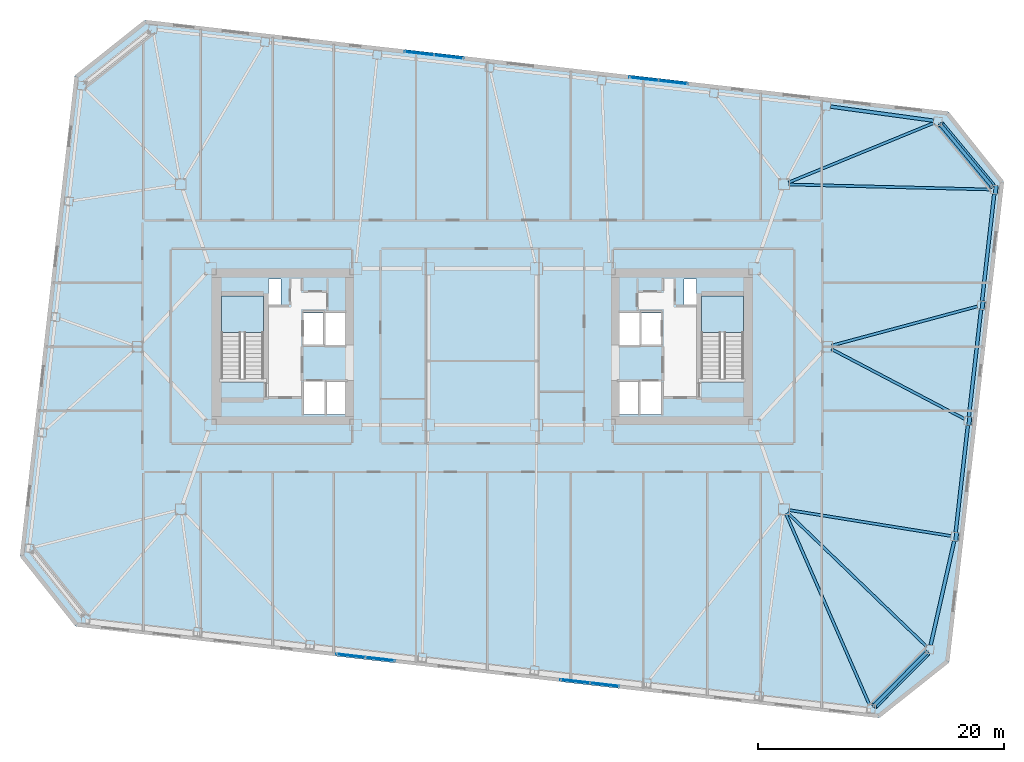
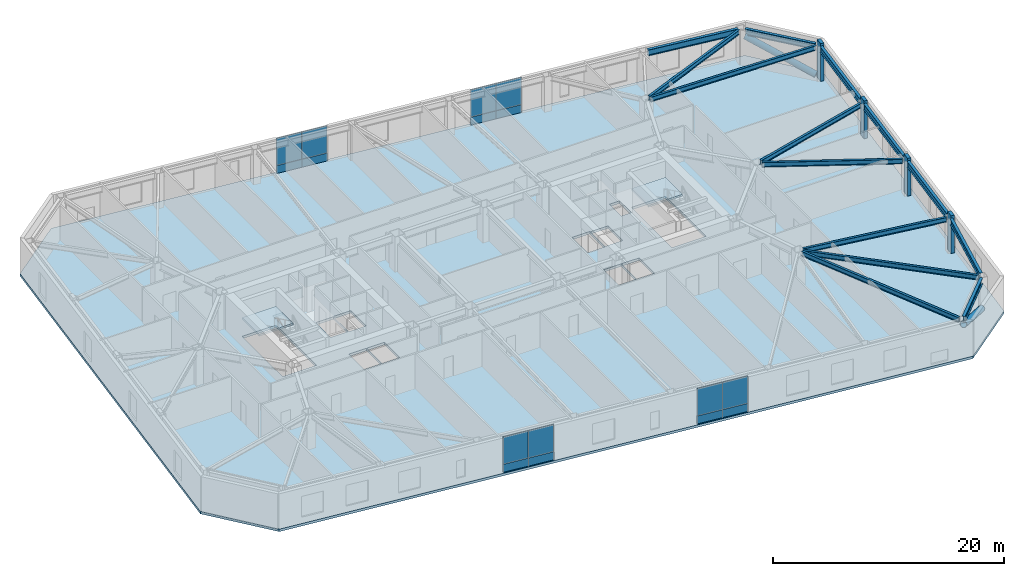
# One storey, part 10 of 21: 16 plates, 14 beams, 6 members, 3 slabs, 6 elements without a shape of their own.
"""IFC4 building model written with IfcOpenShell, lengths in metres."""

from ifc_helpers import new_model, si_unit, direction, frame, origin, origin_2d, place, context, subcontext, project, spatial, polyline, rectangle, hollow_circle, i_section, outline, extrude, material, layer, layer_set, material_profile, profile_set, type_object, element, aggregate, save


model = new_model("IFC4")

# Units and contexts
model_context = context("Model", 3, precision=1e-05, world=origin(), true_north=direction((0.0, 1.0)))
body_context = subcontext(model_context, "Body", "Model", "MODEL_VIEW")
ifc_project = project(units=[si_unit("LENGTHUNIT", "METRE"), si_unit("AREAUNIT", "SQUARE_METRE"), si_unit("VOLUMEUNIT", "CUBIC_METRE"), si_unit("PLANEANGLEUNIT", "RADIAN"), si_unit("MASSUNIT", "GRAM", prefix="KILO")], contexts=[model_context])

# Site, building, storey
site_placement = place(None, origin())
site = spatial("IfcSite", under=ifc_project, at=site_placement, CompositionType="ELEMENT")
building_placement = place(site_placement, origin())
building = spatial("IfcBuilding", under=site, at=building_placement, Name="Tavrogorsk Clinical Tower", CompositionType="ELEMENT")
storey_placement = place(building_placement, frame((0.0, 0.0, 129.39990234375)))
storey = spatial("IfcBuildingStorey", under=building, at=storey_placement, Name="L29", CompositionType="ELEMENT", Elevation=129.39990234375)

# Members
ifc_material_1 = material(Name="Structural steel S440", Category="steel")
ifc_material_profile_1 = material_profile(ifc_material_1, hollow_circle(Radius=0.304931640625, WallThickness=0.02490234375, at=origin_2d()), Name="CHS-610x25")
ifc_profile_set_1 = profile_set([ifc_material_profile_1], Name="Structural steel S440")
member_type_1 = type_object("IfcMemberType", Name="ExoBrace_CHS610", PredefinedType="BRACE", material=ifc_profile_set_1)
member_1_placement = place(storey_placement, frame((36.1025390625, -24.82763671875, 0.4345703125), z_axis=(-0.651430241483, -0.659222469252, 0.375585378463), x_axis=(0.711298174517, -0.702890394677, 0.0)))
element("IfcMember", 1, at=member_1_placement, inside=storey, type_object=member_type_1, Name="L29 Corner Exoskeleton Brace S8-E1", PredefinedType="BRACE", context=body_context, shape_type="SweptSolid", body=[
    extrude(hollow_circle(Radius=0.304931640625, WallThickness=0.02490234375, at=origin_2d()), origin(), (0.0, 0.0, 1.0), 6.57958984375),
])
member_2_placement = place(storey_placement, frame((41.40771484375, 13.03076171875, 0.427001953125), z_axis=(-0.598616328588, 0.718269947263, 0.354607915882), x_axis=(-0.768190751014, -0.640221032189, 0.0)))
element("IfcMember", 2, at=member_2_placement, inside=storey, type_object=member_type_1, Name="L29 Corner Exoskeleton Brace E5-N1", PredefinedType="BRACE", context=body_context, shape_type="SweptSolid", body=[
    extrude(hollow_circle(Radius=0.304931640625, WallThickness=0.02490234375, at=origin_2d()), origin(), (0.0, 0.0, 1.0), 7.0107421875),
])

# Beams
ifc_material_2 = material(Name="Structural steel S355", Category="steel")
ifc_material_profile_2 = material_profile(ifc_material_2, i_section(OverallWidth=0.219970703125, OverallDepth=0.5, WebThickness=0.012939453125, FlangeThickness=0.02001953125, at=origin_2d()), Name="B-500x220x13x20")
ifc_profile_set_2 = profile_set([ifc_material_profile_2], Name="Structural steel S355")
beam_type_1 = type_object("IfcBeamType", Name="FloorBeam_B500", PredefinedType="BEAM", material=ifc_profile_set_2)
beam_1_placement = place(storey_placement, frame((24.664306640625, -13.57568359375, 3.489990234375), z_axis=(0.400586354613, -0.916259009504, 0.0), x_axis=(0.916259009504, 0.400586354613, 0.0)))
element("IfcBeam", 3, at=beam_1_placement, inside=storey, type_object=beam_type_1, Name="L29 Radial Floor Beam S8", PredefinedType="BEAM", context=body_context, shape_type="SweptSolid", body=[
    extrude(i_section(OverallWidth=0.219970703125, OverallDepth=0.5, WebThickness=0.012939453125, FlangeThickness=0.02001953125, at=origin_2d()), origin(), (0.0, 0.0, 1.0), 16.91357421875),
])
beam_2_placement = place(storey_placement, frame((24.87939453125, 13.35546875, 3.489990234375), z_axis=(0.925250223374, 0.379357383143, 0.0), x_axis=(-0.379357383143, 0.925250223374, 0.0)))
element("IfcBeam", 4, at=beam_2_placement, inside=storey, type_object=beam_type_1, Name="L29 Radial Floor Beam N1", PredefinedType="BEAM", context=body_context, shape_type="SweptSolid", body=[
    extrude(i_section(OverallWidth=0.219970703125, OverallDepth=0.5, WebThickness=0.012939453125, FlangeThickness=0.02001953125, at=origin_2d()), origin(), (0.0, 0.0, 1.0), 12.738037109375),
])
beam_3_placement = place(storey_placement, frame((24.79541015625, -13.484375, 3.489990234375), z_axis=(0.720494740362, -0.693460401977, 0.0), x_axis=(0.693460401977, 0.720494740362, 0.0)))
element("IfcBeam", 5, at=beam_3_placement, inside=storey, type_object=beam_type_1, Name="L29 Radial Floor Beam E1", PredefinedType="BEAM", context=body_context, shape_type="SweptSolid", body=[
    extrude(i_section(OverallWidth=0.219970703125, OverallDepth=0.5, WebThickness=0.012939453125, FlangeThickness=0.02001953125, at=origin_2d()), origin(), (0.0, 0.0, 1.0), 15.659423828125),
])
beam_4_placement = place(storey_placement, frame((24.90478515625, -13.2646484375, 3.489990234375), z_axis=(0.987456527754, -0.157891120067, 0.0), x_axis=(0.157891120067, 0.987456527754, 0.0)))
element("IfcBeam", 6, at=beam_4_placement, inside=storey, type_object=beam_type_1, Name="L29 Radial Floor Beam E2", PredefinedType="BEAM", context=body_context, shape_type="SweptSolid", body=[
    extrude(i_section(OverallWidth=0.219970703125, OverallDepth=0.5, WebThickness=0.012939453125, FlangeThickness=0.02001953125, at=origin_2d()), origin(), (0.0, 0.0, 1.0), 13.31787109375),
])
beam_5_placement = place(storey_placement, frame((28.363037109375, -0.1904296875, 3.489990234375), z_axis=(0.885467298335, -0.464701693111, 0.0), x_axis=(0.464701693111, 0.885467298335, 0.0)))
element("IfcBeam", 7, at=beam_5_placement, inside=storey, type_object=beam_type_1, Name="L29 Radial Floor Beam E3", PredefinedType="BEAM", context=body_context, shape_type="SweptSolid", body=[
    extrude(i_section(OverallWidth=0.219970703125, OverallDepth=0.5, WebThickness=0.012939453125, FlangeThickness=0.02001953125, at=origin_2d()), origin(), (0.0, 0.0, 1.0), 12.197021484375),
])
beam_6_placement = place(storey_placement, frame((28.39599609375, 0.1064453125, 3.489990234375), z_axis=(0.965705720144, 0.259639099677, 0.0), x_axis=(-0.259639099677, 0.965705720144, 0.0)))
element("IfcBeam", 8, at=beam_6_placement, inside=storey, type_object=beam_type_1, Name="L29 Radial Floor Beam E4", PredefinedType="BEAM", context=body_context, shape_type="SweptSolid", body=[
    extrude(i_section(OverallWidth=0.219970703125, OverallDepth=0.5, WebThickness=0.012939453125, FlangeThickness=0.02001953125, at=origin_2d()), origin(), (0.0, 0.0, 1.0), 12.228759765625),
])
beam_7_placement = place(storey_placement, frame((24.909912109375, 13.189697265625, 3.489990234375), z_axis=(0.999690121031, -0.024893009314, 0.0), x_axis=(0.024893009314, 0.999690121031, 0.0)))
element("IfcBeam", 9, at=beam_7_placement, inside=storey, type_object=beam_type_1, Name="L29 Radial Floor Beam E5", PredefinedType="BEAM", context=body_context, shape_type="SweptSolid", body=[
    extrude(i_section(OverallWidth=0.219970703125, OverallDepth=0.5, WebThickness=0.012939453125, FlangeThickness=0.02001953125, at=origin_2d()), origin(), (0.0, 0.0, 1.0), 16.359130859375),
])

# Members
ifc_material_3 = material(Name="Precast concrete B45 with limestone cladding", Category="masonry")
ifc_material_profile_3 = material_profile(ifc_material_3, rectangle(XDim=0.320068359375, YDim=0.719970703125, at=origin_2d()), Name="LIMESTONE-FIN-320x720")
ifc_profile_set_3 = profile_set([ifc_material_profile_3], Name="Precast concrete B45 with limestone cladding")
member_type_2 = type_object("IfcMemberType", Name="LimestonePleatFin_320x720", PredefinedType="USERDEFINED", material=ifc_profile_set_3)
for number, where, z_axis, x_axis, name in (
    (10, (38.48876953125, -15.432861328125, 0.0), (0.0, 0.0, 1.0), (0.993571855677, -0.113203213768, 0.0), "L29 E Pleated Stone Fin 1"),
    (11, (39.5595703125, -6.03369140625, 0.0), (0.0, 0.0, 1.0), (0.993571855677, -0.113203213768, 0.0), "L29 E Pleated Stone Fin 2"),
    (12, (40.63037109375, 3.365234375, 0.0), (0.0, 0.0, 1.0), (0.993571855677, -0.113203213768, 0.0), "L29 E Pleated Stone Fin 3"),
    (13, (41.701416015625, 12.7646484375, 0.0), (0.0, 0.0, 1.0), (0.993571855677, -0.113203213768, 0.0), "L29 E Pleated Stone Fin 4"),
):
    element("IfcMember", number, at=place(storey_placement, frame(where, z_axis=z_axis, x_axis=x_axis)), inside=storey, type_object=member_type_2, Name=name, ObjectType="FIN", PredefinedType="USERDEFINED", context=body_context, shape_type="SweptSolid", body=[
        extrude(rectangle(XDim=0.320068359375, YDim=0.719970703125, at=origin_2d()), origin(), (0.0, 0.0, 1.0), 4.0),
    ])

# Beams
ifc_material_4 = material(Name="Structural steel S390", Category="steel")
ifc_material_profile_4 = material_profile(ifc_material_4, i_section(OverallWidth=0.280029296875, OverallDepth=0.64990234375, WebThickness=0.01611328125, FlangeThickness=0.02490234375, at=origin_2d()), Name="B-650x280x16x25")
ifc_profile_set_4 = profile_set([ifc_material_profile_4], Name="Structural steel S390")
beam_type_2 = type_object("IfcBeamType", Name="SpandrelBeam_B650", PredefinedType="SPANDREL", material=ifc_profile_set_4)
beam_8_placement = place(storey_placement, frame((31.834716796875, -29.146240234375, 3.4150390625), z_axis=(0.702934929184, 0.711254163667, 0.0), x_axis=(-0.711254163667, 0.702934929184, 0.0)))
element("IfcBeam", 14, at=beam_8_placement, inside=storey, type_object=beam_type_2, Name="L29 Perimeter Spandrel S8-E1", PredefinedType="SPANDREL", context=body_context, shape_type="SweptSolid", body=[
    extrude(i_section(OverallWidth=0.280029296875, OverallDepth=0.64990234375, WebThickness=0.01611328125, FlangeThickness=0.02490234375, at=origin_2d()), origin(), (0.0, 0.0, 1.0), 6.04541015625),
])
beam_9_placement = place(storey_placement, frame((36.414794921875, -24.242431640625, 3.4150390625), z_axis=(0.220602599501, 0.975363774749, 0.0), x_axis=(-0.975363774749, 0.220602599501, 0.0)))
element("IfcBeam", 15, at=beam_9_placement, inside=storey, type_object=beam_type_2, Name="L29 Perimeter Spandrel E1-E2", PredefinedType="SPANDREL", context=body_context, shape_type="SweptSolid", body=[
    extrude(i_section(OverallWidth=0.280029296875, OverallDepth=0.64990234375, WebThickness=0.01611328125, FlangeThickness=0.02490234375, at=origin_2d()), origin(), (0.0, 0.0, 1.0), 8.68310546875),
])
for number, where, z_axis, x_axis, name in (
    (16, (38.44970703125, -15.068115234375, 3.4150390625), (0.113192226434, 0.993573107464, 0.0), (-0.993573107464, 0.113192226434, 0.0), "L29 Perimeter Spandrel E2-E3"),
    (17, (39.520751953125, -5.6689453125, 3.4150390625), (0.113192226434, 0.993573107464, 0.0), (-0.993573107464, 0.113192226434, 0.0), "L29 Perimeter Spandrel E3-E4"),
):
    element("IfcBeam", number, at=place(storey_placement, frame(where, z_axis=z_axis, x_axis=x_axis)), inside=storey, type_object=beam_type_2, Name=name, PredefinedType="SPANDREL", context=body_context, shape_type="SweptSolid", body=[
        extrude(i_section(OverallWidth=0.280029296875, OverallDepth=0.64990234375, WebThickness=0.01611328125, FlangeThickness=0.02490234375, at=origin_2d()), origin(), (0.0, 0.0, 1.0), 8.743896484375),
    ])
beam_10_placement = place(storey_placement, frame((40.591552734375, 3.72998046875, 3.4150390625), z_axis=(0.113189086379, 0.993573465188, 0.0), x_axis=(-0.993573465188, 0.113189086379, 0.0)))
element("IfcBeam", 18, at=beam_10_placement, inside=storey, type_object=beam_type_2, Name="L29 Perimeter Spandrel E4-E5", PredefinedType="SPANDREL", context=body_context, shape_type="SweptSolid", body=[
    extrude(i_section(OverallWidth=0.280029296875, OverallDepth=0.64990234375, WebThickness=0.01611328125, FlangeThickness=0.02490234375, at=origin_2d()), origin(), (0.0, 0.0, 1.0), 8.744140625),
])
beam_11_placement = place(storey_placement, frame((41.392578125, 13.048583984375, 3.4150390625), z_axis=(-0.640191778751, 0.768215130299, 0.0), x_axis=(-0.768215130299, -0.640191778751, 0.0)))
element("IfcBeam", 19, at=beam_11_placement, inside=storey, type_object=beam_type_2, Name="L29 Perimeter Spandrel E5-N1", PredefinedType="SPANDREL", context=body_context, shape_type="SweptSolid", body=[
    extrude(i_section(OverallWidth=0.280029296875, OverallDepth=0.64990234375, WebThickness=0.01611328125, FlangeThickness=0.02490234375, at=origin_2d()), origin(), (0.0, 0.0, 1.0), 6.508544921875),
])
beam_12_placement = place(storey_placement, frame((36.641845703125, 18.3720703125, 3.4150390625), z_axis=(-0.990722121657, 0.135903192232, 0.0), x_axis=(-0.135903192232, -0.990722121657, 0.0)))
element("IfcBeam", 20, at=beam_12_placement, inside=storey, type_object=beam_type_2, Name="L29 Perimeter Spandrel N1-N2", PredefinedType="SPANDREL", context=body_context, shape_type="SweptSolid", body=[
    extrude(i_section(OverallWidth=0.280029296875, OverallDepth=0.64990234375, WebThickness=0.01611328125, FlangeThickness=0.02490234375, at=origin_2d()), origin(), (0.0, 0.0, 1.0), 8.439697265625),
])

# Curtain wall, plates
ifc_material_5 = material(Name="Anodised aluminium and triple IGU glazing", Category="aluminium")
ifc_layer_1 = layer(ifc_material_5, 0.179931640625)
ifc_layer_set_1 = layer_set([ifc_layer_1], Name="Anodised aluminium and triple IGU glazing")
curtain_wall_type_1 = type_object("IfcCurtainWallType", Name="CW3_SouthSlot", PredefinedType="NOTDEFINED", material=ifc_layer_set_1)
curtain_wall_1_placement = place(storey_placement, origin())
curtain_wall_1 = element("IfcCurtainWall", 21, at=curtain_wall_1_placement, inside=storey, type_object=curtain_wall_type_1, Name="L29 Curtain Wall CW-L29-S-SLOT-1", PredefinedType="NOTDEFINED")
ifc_material_6 = material(Name="Honed Podolsk limestone spandrel panel", Category="masonry")
ifc_layer_2 = layer(ifc_material_6, 0.080078125)
ifc_layer_set_2 = layer_set([ifc_layer_2], Name="Honed Podolsk limestone spandrel panel")
plate_type_1 = type_object("IfcPlateType", Name="CwSpandrelStonePanel_80", PredefinedType="CURTAIN_PANEL", material=ifc_layer_set_2)
plate_1_placement = place(storey_placement, frame((-10.70654296875, -25.095947265625, 0.002197265625), z_axis=(0.0, 0.0, 1.0), x_axis=(0.993571855603, -0.11320321441, 0.0)))
plate_1 = element("IfcPlate", 22, at=plate_1_placement, type_object=plate_type_1, Name="CW-L29-S-SLOT-1 Stone Spandrel Panel 1", PredefinedType="CURTAIN_PANEL", context=body_context, shape_type="SweptSolid", body=[
    extrude(rectangle(XDim=2.39208984375, YDim=0.080078125, at=origin_2d()), origin(), (0.0, 0.0, 1.0), 0.8359375),
])
plate_2_placement = place(storey_placement, frame((-8.30615234375, -25.36962890625, 0.002197265625), z_axis=(0.0, 0.0, 1.0), x_axis=(0.993571855603, -0.11320321441, 0.0)))
plate_2 = element("IfcPlate", 23, at=plate_2_placement, type_object=plate_type_1, Name="CW-L29-S-SLOT-1 Stone Spandrel Panel 2", PredefinedType="CURTAIN_PANEL", context=body_context, shape_type="SweptSolid", body=[
    extrude(rectangle(XDim=2.39208984375, YDim=0.080078125, at=origin_2d()), origin(), (0.0, 0.0, 1.0), 0.8359375),
])

curtain_wall_2_placement = place(storey_placement, origin())
curtain_wall_2 = element("IfcCurtainWall", 24, at=curtain_wall_2_placement, inside=storey, type_object=curtain_wall_type_1, Name="L29 Curtain Wall CW-L29-S-SLOT-2", PredefinedType="NOTDEFINED")
plate_3_placement = place(storey_placement, frame((7.52978515625, -27.173828125, 0.002197265625), z_axis=(0.0, 0.0, 1.0), x_axis=(0.993571858269, -0.113203191016, 0.0)))
plate_3 = element("IfcPlate", 25, at=plate_3_placement, type_object=plate_type_1, Name="CW-L29-S-SLOT-2 Stone Spandrel Panel 1", PredefinedType="CURTAIN_PANEL", context=body_context, shape_type="SweptSolid", body=[
    extrude(rectangle(XDim=2.39208984375, YDim=0.080078125, at=origin_2d()), origin(), (0.0, 0.0, 1.0), 0.8359375),
])
plate_4_placement = place(storey_placement, frame((9.93017578125, -27.447265625, 0.002197265625), z_axis=(0.0, 0.0, 1.0), x_axis=(0.993571858269, -0.113203191016, 0.0)))
plate_4 = element("IfcPlate", 26, at=plate_4_placement, type_object=plate_type_1, Name="CW-L29-S-SLOT-2 Stone Spandrel Panel 2", PredefinedType="CURTAIN_PANEL", context=body_context, shape_type="SweptSolid", body=[
    extrude(rectangle(XDim=2.39208984375, YDim=0.080078125, at=origin_2d()), origin(), (0.0, 0.0, 1.0), 0.8359375),
])

ifc_material_7 = material(Name="Anodised aluminium and triple IGU glazing", Category="aluminium")
ifc_layer_3 = layer(ifc_material_7, 0.179931640625)
ifc_layer_set_3 = layer_set([ifc_layer_3], Name="Anodised aluminium and triple IGU glazing")
curtain_wall_type_2 = type_object("IfcCurtainWallType", Name="CW2_NorthSlot", PredefinedType="NOTDEFINED", material=ifc_layer_set_3)
curtain_wall_3_placement = place(storey_placement, origin())
curtain_wall_3 = element("IfcCurtainWall", 27, at=curtain_wall_3_placement, inside=storey, type_object=curtain_wall_type_2, Name="L29 Curtain Wall CW-L29-N-SLOT-1", PredefinedType="NOTDEFINED")
plate_5_placement = place(storey_placement, frame((-2.729736328125, 23.57373046875, 0.002197265625), z_axis=(0.0, 0.0, 1.0), x_axis=(-0.993571858269, 0.113203191016, 0.0)))
plate_5 = element("IfcPlate", 28, at=plate_5_placement, type_object=plate_type_1, Name="CW-L29-N-SLOT-1 Stone Spandrel Panel 1", PredefinedType="CURTAIN_PANEL", context=body_context, shape_type="SweptSolid", body=[
    extrude(rectangle(XDim=2.39208984375, YDim=0.080078125, at=origin_2d()), origin(), (0.0, 0.0, 1.0), 0.8359375),
])
plate_6_placement = place(storey_placement, frame((-5.130126953125, 23.847412109375, 0.002197265625), z_axis=(0.0, 0.0, 1.0), x_axis=(-0.993571858269, 0.113203191016, 0.0)))
plate_6 = element("IfcPlate", 29, at=plate_6_placement, type_object=plate_type_1, Name="CW-L29-N-SLOT-1 Stone Spandrel Panel 2", PredefinedType="CURTAIN_PANEL", context=body_context, shape_type="SweptSolid", body=[
    extrude(rectangle(XDim=2.39208984375, YDim=0.080078125, at=origin_2d()), origin(), (0.0, 0.0, 1.0), 0.8359375),
])

curtain_wall_4_placement = place(storey_placement, origin())
curtain_wall_4 = element("IfcCurtainWall", 30, at=curtain_wall_4_placement, inside=storey, type_object=curtain_wall_type_2, Name="L29 Curtain Wall CW-L29-N-SLOT-2", PredefinedType="NOTDEFINED")
plate_7_placement = place(storey_placement, frame((15.506591796875, 21.49609375, 0.002197265625), z_axis=(0.0, 0.0, 1.0), x_axis=(-0.993571855603, 0.11320321441, 0.0)))
plate_7 = element("IfcPlate", 31, at=plate_7_placement, type_object=plate_type_1, Name="CW-L29-N-SLOT-2 Stone Spandrel Panel 1", PredefinedType="CURTAIN_PANEL", context=body_context, shape_type="SweptSolid", body=[
    extrude(rectangle(XDim=2.39208984375, YDim=0.080078125, at=origin_2d()), origin(), (0.0, 0.0, 1.0), 0.8359375),
])
plate_8_placement = place(storey_placement, frame((13.106201171875, 21.76953125, 0.002197265625), z_axis=(0.0, 0.0, 1.0), x_axis=(-0.993571855603, 0.11320321441, 0.0)))
plate_8 = element("IfcPlate", 32, at=plate_8_placement, type_object=plate_type_1, Name="CW-L29-N-SLOT-2 Stone Spandrel Panel 2", PredefinedType="CURTAIN_PANEL", context=body_context, shape_type="SweptSolid", body=[
    extrude(rectangle(XDim=2.39208984375, YDim=0.080078125, at=origin_2d()), origin(), (0.0, 0.0, 1.0), 0.8359375),
])

# Plate
ifc_material_8 = material(Name="Triple low-E argon insulated glass", Category="glass")
ifc_layer_4 = layer(ifc_material_8, 0.048095703125)
ifc_layer_set_4 = layer_set([ifc_layer_4], Name="Triple low-E argon insulated glass")
plate_type_2 = type_object("IfcPlateType", Name="CwVisionGlassPanel_48", PredefinedType="CURTAIN_PANEL", material=ifc_layer_set_4)
plate_9_placement = place(storey_placement, frame((-10.70654296875, -25.095947265625, 0.862060546875), z_axis=(0.0, 0.0, 1.0), x_axis=(0.993571855603, -0.11320321441, 0.0)))
plate_9 = element("IfcPlate", 33, at=plate_9_placement, type_object=plate_type_2, Name="CW-L29-S-SLOT-1 Glazing Panel 1", PredefinedType="CURTAIN_PANEL", context=body_context, shape_type="SweptSolid", body=[
    extrude(rectangle(XDim=2.39208984375, YDim=0.048095703125, at=origin_2d()), origin(), (0.0, 0.0, 1.0), 2.8759765625),
])

plate_10_placement = place(storey_placement, frame((-8.30615234375, -25.36962890625, 0.862060546875), z_axis=(0.0, 0.0, 1.0), x_axis=(0.993571855603, -0.11320321441, 0.0)))
plate_10 = element("IfcPlate", 34, at=plate_10_placement, type_object=plate_type_2, Name="CW-L29-S-SLOT-1 Glazing Panel 2", PredefinedType="CURTAIN_PANEL", context=body_context, shape_type="SweptSolid", body=[
    extrude(rectangle(XDim=2.39208984375, YDim=0.048095703125, at=origin_2d()), origin(), (0.0, 0.0, 1.0), 2.8759765625),
])

aggregate(curtain_wall_1, [plate_1, plate_9, plate_2, plate_10])

plate_11_placement = place(storey_placement, frame((7.52978515625, -27.173828125, 0.862060546875), z_axis=(0.0, 0.0, 1.0), x_axis=(0.993571858269, -0.113203191016, 0.0)))
plate_11 = element("IfcPlate", 35, at=plate_11_placement, type_object=plate_type_2, Name="CW-L29-S-SLOT-2 Glazing Panel 1", PredefinedType="CURTAIN_PANEL", context=body_context, shape_type="SweptSolid", body=[
    extrude(rectangle(XDim=2.39208984375, YDim=0.048095703125, at=origin_2d()), origin(), (0.0, 0.0, 1.0), 2.8759765625),
])

plate_12_placement = place(storey_placement, frame((9.93017578125, -27.447265625, 0.862060546875), z_axis=(0.0, 0.0, 1.0), x_axis=(0.993571858269, -0.113203191016, 0.0)))
plate_12 = element("IfcPlate", 36, at=plate_12_placement, type_object=plate_type_2, Name="CW-L29-S-SLOT-2 Glazing Panel 2", PredefinedType="CURTAIN_PANEL", context=body_context, shape_type="SweptSolid", body=[
    extrude(rectangle(XDim=2.39208984375, YDim=0.048095703125, at=origin_2d()), origin(), (0.0, 0.0, 1.0), 2.8759765625),
])

aggregate(curtain_wall_2, [plate_3, plate_11, plate_4, plate_12])

plate_13_placement = place(storey_placement, frame((-2.729736328125, 23.57373046875, 0.862060546875), z_axis=(0.0, 0.0, 1.0), x_axis=(-0.993571858269, 0.113203191016, 0.0)))
plate_13 = element("IfcPlate", 37, at=plate_13_placement, type_object=plate_type_2, Name="CW-L29-N-SLOT-1 Glazing Panel 1", PredefinedType="CURTAIN_PANEL", context=body_context, shape_type="SweptSolid", body=[
    extrude(rectangle(XDim=2.39208984375, YDim=0.048095703125, at=origin_2d()), origin(), (0.0, 0.0, 1.0), 2.8759765625),
])

plate_14_placement = place(storey_placement, frame((-5.130126953125, 23.847412109375, 0.862060546875), z_axis=(0.0, 0.0, 1.0), x_axis=(-0.993571858269, 0.113203191016, 0.0)))
plate_14 = element("IfcPlate", 38, at=plate_14_placement, type_object=plate_type_2, Name="CW-L29-N-SLOT-1 Glazing Panel 2", PredefinedType="CURTAIN_PANEL", context=body_context, shape_type="SweptSolid", body=[
    extrude(rectangle(XDim=2.39208984375, YDim=0.048095703125, at=origin_2d()), origin(), (0.0, 0.0, 1.0), 2.8759765625),
])

aggregate(curtain_wall_3, [plate_5, plate_13, plate_6, plate_14])

plate_15_placement = place(storey_placement, frame((15.506591796875, 21.49609375, 0.862060546875), z_axis=(0.0, 0.0, 1.0), x_axis=(-0.993571855603, 0.11320321441, 0.0)))
plate_15 = element("IfcPlate", 39, at=plate_15_placement, type_object=plate_type_2, Name="CW-L29-N-SLOT-2 Glazing Panel 1", PredefinedType="CURTAIN_PANEL", context=body_context, shape_type="SweptSolid", body=[
    extrude(rectangle(XDim=2.39208984375, YDim=0.048095703125, at=origin_2d()), origin(), (0.0, 0.0, 1.0), 2.8759765625),
])

plate_16_placement = place(storey_placement, frame((13.106201171875, 21.76953125, 0.862060546875), z_axis=(0.0, 0.0, 1.0), x_axis=(-0.993571855603, 0.11320321441, 0.0)))
plate_16 = element("IfcPlate", 40, at=plate_16_placement, type_object=plate_type_2, Name="CW-L29-N-SLOT-2 Glazing Panel 2", PredefinedType="CURTAIN_PANEL", context=body_context, shape_type="SweptSolid", body=[
    extrude(rectangle(XDim=2.39208984375, YDim=0.048095703125, at=origin_2d()), origin(), (0.0, 0.0, 1.0), 2.8759765625),
])

aggregate(curtain_wall_4, [plate_7, plate_15, plate_8, plate_16])

# Stair, slab
ifc_material_9 = material(Name="Concrete B60", Category="concrete")
stair_type = type_object("IfcStairType", Name="CoreStairAssembly", PredefinedType="HALF_TURN_STAIR", material=ifc_material_9)
stair_1_placement = place(storey_placement, origin())
stair_1 = element("IfcStair", 41, at=stair_1_placement, inside=storey, type_object=stair_type, Name="L29 ST-W", PredefinedType="HALF_TURN_STAIR")
ifc_material_10 = material(Name="Concrete B60", Category="concrete")
ifc_layer_5 = layer(ifc_material_10, 0.199951171875)
ifc_layer_set_5 = layer_set([ifc_layer_5], Name="Concrete B60")
slab_type_1 = type_object("IfcSlabType", Name="StairLanding_200", PredefinedType="LANDING", material=ifc_layer_set_5)
slab_1_placement = place(storey_placement, frame((0.0, 0.0, 1.800048828125)))
slab_1 = element("IfcSlab", 42, at=slab_1_placement, type_object=slab_type_1, Name="ST-W landing 1", PredefinedType="LANDING", context=body_context, shape_type="SweptSolid", body=[
    extrude(outline(polyline([(-17.800048828125, 1.1650390625), (-17.800048828125, 4.125), (-21.199951171875, 4.125), (-21.199951171875, 1.1650390625), (-17.800048828125, 1.1650390625)])), origin(), (0.0, 0.0, 1.0), 0.199951171875),
])
aggregate(stair_1, [slab_1])

stair_2_placement = place(storey_placement, origin())
stair_2 = element("IfcStair", 43, at=stair_2_placement, inside=storey, type_object=stair_type, Name="L29 ST-E", PredefinedType="HALF_TURN_STAIR")
slab_2_placement = place(storey_placement, frame((0.0, 0.0, 1.800048828125)))
slab_2 = element("IfcSlab", 44, at=slab_2_placement, type_object=slab_type_1, Name="ST-E landing 1", PredefinedType="LANDING", context=body_context, shape_type="SweptSolid", body=[
    extrude(outline(polyline([(21.199951171875, 1.1650390625), (21.199951171875, 4.125), (17.800048828125, 4.125), (17.800048828125, 1.1650390625), (21.199951171875, 1.1650390625)])), origin(), (0.0, 0.0, 1.0), 0.199951171875),
])
aggregate(stair_2, [slab_2])

# Slab
ifc_material_11 = material(Name="Concrete B60", Category="concrete")
ifc_layer_6 = layer(ifc_material_11, 0.260009765625)
ifc_layer_set_6 = layer_set([ifc_layer_6], Name="Concrete B60")
slab_type_2 = type_object("IfcSlabType", Name="WardSlab_260", PredefinedType="FLOOR", material=ifc_layer_set_6)
slab_3_placement = place(storey_placement, frame((0.0, 0.0, -0.260009765625)))
element("IfcSlab", 45, at=slab_3_placement, inside=storey, type_object=slab_type_2, Name="L29 Structural Slab", PredefinedType="FLOOR", context=body_context, shape_type="SweptSolid", body=[
    extrude(outline(polyline([(-32.99658203125, -22.7275390625), (32.181640625, -30.153564453125), (37.93701171875, -25.57568359375), (42.37451171875, 13.372314453125), (37.796630859375, 19.12744140625), (-27.381591796875, 26.5537109375), (-33.136962890625, 21.9755859375), (-37.574462890625, -16.972412109375), (-32.99658203125, -22.7275390625)]), holes=[polyline([(-17.800048828125, -2.8798828125), (-17.800048828125, 4.125), (-21.199951171875, 4.125), (-21.199951171875, -2.8798828125), (-17.800048828125, -2.8798828125)]), polyline([(21.199951171875, -2.8798828125), (21.199951171875, 4.125), (17.800048828125, 4.125), (17.800048828125, -2.8798828125), (21.199951171875, -2.8798828125)]), polyline([(-14.6201171875, 0.169921875), (-12.860107421875, 0.169921875), (-12.860107421875, 2.72998046875), (-14.6201171875, 2.72998046875), (-14.6201171875, 0.169921875)]), polyline([(-14.530029296875, -5.47998046875), (-12.77001953125, -5.47998046875), (-12.77001953125, -2.820068359375), (-14.530029296875, -2.820068359375), (-14.530029296875, -5.47998046875)]), polyline([(-12.72998046875, -5.47998046875), (-10.969970703125, -5.47998046875), (-10.969970703125, -2.820068359375), (-12.72998046875, -2.820068359375), (-12.72998046875, -5.47998046875)]), polyline([(-12.840087890625, 0.1201171875), (-11.080078125, 0.1201171875), (-11.080078125, 2.780029296875), (-12.840087890625, 2.780029296875), (-12.840087890625, 0.1201171875)]), polyline([(12.860107421875, 0.169921875), (14.6201171875, 0.169921875), (14.6201171875, 2.72998046875), (12.860107421875, 2.72998046875), (12.860107421875, 0.169921875)]), polyline([(12.77001953125, -5.47998046875), (14.530029296875, -5.47998046875), (14.530029296875, -2.820068359375), (12.77001953125, -2.820068359375), (12.77001953125, -5.47998046875)]), polyline([(10.969970703125, -5.47998046875), (12.72998046875, -5.47998046875), (12.72998046875, -2.820068359375), (10.969970703125, -2.820068359375), (10.969970703125, -5.47998046875)]), polyline([(11.080078125, 0.1201171875), (12.840087890625, 0.1201171875), (12.840087890625, 2.780029296875), (11.080078125, 2.780029296875), (11.080078125, 0.1201171875)]), polyline([(-17.3798828125, 3.449951171875), (-16.3798828125, 3.449951171875), (-16.3798828125, 5.5), (-17.3798828125, 5.5), (-17.3798828125, 3.449951171875)]), polyline([(16.3798828125, 3.449951171875), (17.3798828125, 3.449951171875), (17.3798828125, 5.5), (16.3798828125, 5.5), (16.3798828125, 3.449951171875)])]), origin(), (0.0, 0.0, 1.0), 0.260009765625),
])

save(model, "model.ifc")
